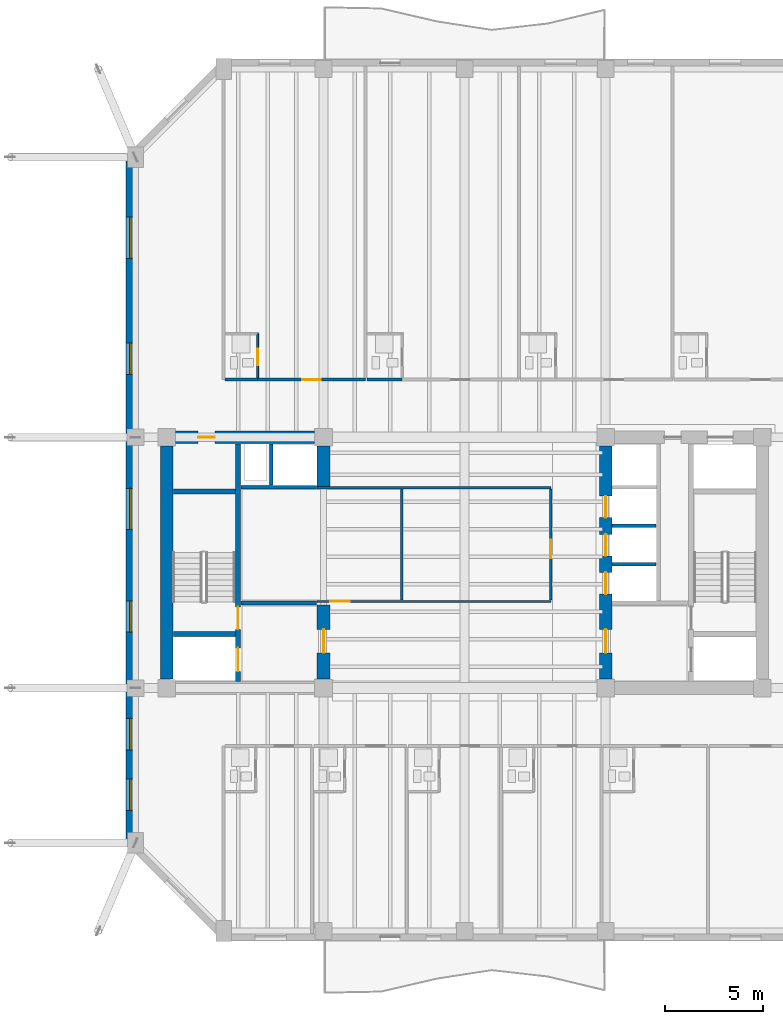
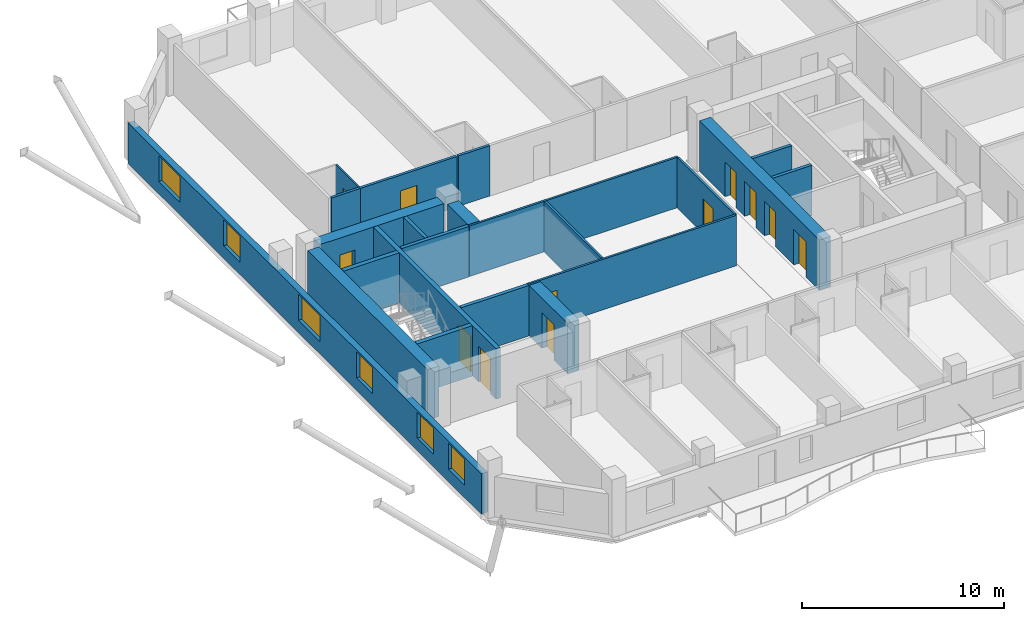
# One storey, part 6 of 13: 22 walls, 12 doors, 6 windows, 18 openings.
"""IFC4 building model written with IfcOpenShell, lengths in metres."""

from ifc_helpers import new_model, si_unit, direction, frame, frame_2d, origin, place, context, subcontext, project, spatial, rectangle, extrude, material, layer, layer_set, type_object, element, fill, save


model = new_model("IFC4")

# Units and contexts
model_context = context("Model", 3, precision=1e-05, world=origin(), true_north=direction((0.0, 1.0)))
body_context = subcontext(model_context, "Body", "Model", "MODEL_VIEW")
ifc_project = project(units=[si_unit("LENGTHUNIT", "METRE"), si_unit("AREAUNIT", "SQUARE_METRE"), si_unit("VOLUMEUNIT", "CUBIC_METRE"), si_unit("PLANEANGLEUNIT", "RADIAN"), si_unit("MASSUNIT", "GRAM", prefix="KILO")], contexts=[model_context])

# Site, building, storey
site_placement = place(None, origin())
site = spatial("IfcSite", under=ifc_project, at=site_placement, CompositionType="ELEMENT")
building_placement = place(site_placement, origin())
building = spatial("IfcBuilding", under=site, at=building_placement, Name="Kranthara Brick Stack", CompositionType="ELEMENT")
storey_placement = place(building_placement, frame((0.0, 0.0, 179.800048828125)))
storey = spatial("IfcBuildingStorey", under=building, at=storey_placement, Name="L46", CompositionType="ELEMENT", Elevation=179.800048828125)

# Wall, openings, windows
ifc_material_1 = material(Name="Kiln-fired clay brick masonry M15", Category="masonry")
ifc_layer_1 = layer(ifc_material_1, 0.35009765625)
ifc_layer_set_1 = layer_set([ifc_layer_1], Name="Kiln-fired clay brick masonry M15")
wall_type_1 = type_object("IfcWallType", Name="WL-BRK-SPND-350", PredefinedType="STANDARD", material=ifc_layer_set_1)
wall_1_placement = place(storey_placement, frame((10.89501953125, 12.89990234375, 0.0), z_axis=(0.0, 0.0, 1.0), x_axis=(0.0, 1.0, 0.0)))
wall_1 = element("IfcWall", 1, at=wall_1_placement, inside=storey, type_object=wall_type_1, Name="L46 Exterior Brick Facade Wall WEST 1", PredefinedType="STANDARD", context=body_context, shape_type="SweptSolid", body=[
    extrude(rectangle(XDim=35.0, YDim=0.35009765625, at=frame_2d((17.5, 0.0))), origin(), (0.0, 0.0, 1.0), 2.43505859375),
])
opening_1_placement = place(wall_1_placement, frame((1.652099609375, 0.0, 0.75)))
opening_1 = element("IfcOpeningElement", 2, at=opening_1_placement, cuts=wall_1, Name="Opening WN04", PredefinedType="OPENING", context=body_context, shape_type="SweptSolid", body=[
    extrude(rectangle(XDim=1.60009765625, YDim=1.56494140625, at=frame_2d((0.800048828125, 0.782470703125))), frame((0.0, 0.18505859375, 0.0), z_axis=(0.0, -1.0, 0.0), x_axis=(1.0, 0.0, 0.0)), (0.0, 0.0, 1.0), 0.3701171875),
])
opening_2_placement = place(wall_1_placement, frame((4.748046875, 0.0, 0.75)))
opening_2 = element("IfcOpeningElement", 3, at=opening_2_placement, cuts=wall_1, Name="Opening WN04", PredefinedType="OPENING", context=body_context, shape_type="SweptSolid", body=[
    extrude(rectangle(XDim=1.60009765625, YDim=1.56494140625, at=frame_2d((0.800048828125, 0.782470703125))), frame((0.0, 0.18505859375, 0.0), z_axis=(0.0, -1.0, 0.0), x_axis=(1.0, 0.0, 0.0)), (0.0, 0.0, 1.0), 0.3701171875),
])
opening_3_placement = place(wall_1_placement, frame((10.751953125, 0.0, 0.75)))
opening_3 = element("IfcOpeningElement", 4, at=opening_3_placement, cuts=wall_1, Name="Opening WN04", PredefinedType="OPENING", context=body_context, shape_type="SweptSolid", body=[
    extrude(rectangle(XDim=1.60009765625, YDim=1.56494140625, at=frame_2d((0.800048828125, 0.782470703125))), frame((0.0, 0.18505859375, 0.0), z_axis=(0.0, -1.0, 0.0), x_axis=(1.0, 0.0, 0.0)), (0.0, 0.0, 1.0), 0.3701171875),
])
opening_4_placement = place(wall_1_placement, frame((15.998046875, 0.0, 0.75)))
opening_4 = element("IfcOpeningElement", 5, at=opening_4_placement, cuts=wall_1, Name="Opening WN05", PredefinedType="OPENING", context=body_context, shape_type="SweptSolid", body=[
    extrude(rectangle(XDim=2.10009765625, YDim=1.56494140625, at=frame_2d((1.050048828125, 0.782470703125))), frame((0.0, 0.18505859375, 0.0), z_axis=(0.0, -1.0, 0.0), x_axis=(1.0, 0.0, 0.0)), (0.0, 0.0, 1.0), 0.3701171875),
])
opening_5_placement = place(wall_1_placement, frame((23.916015625, 0.0, 0.75)))
opening_5 = element("IfcOpeningElement", 6, at=opening_5_placement, cuts=wall_1, Name="Opening WN04", PredefinedType="OPENING", context=body_context, shape_type="SweptSolid", body=[
    extrude(rectangle(XDim=1.60009765625, YDim=1.56494140625, at=frame_2d((0.800048828125, 0.782470703125))), frame((0.0, 0.18505859375, 0.0), z_axis=(0.0, -1.0, 0.0), x_axis=(1.0, 0.0, 0.0)), (0.0, 0.0, 1.0), 0.3701171875),
])
opening_6_placement = place(wall_1_placement, frame((29.833984375, 0.0, 0.75)))
opening_6 = element("IfcOpeningElement", 7, at=opening_6_placement, cuts=wall_1, Name="Opening WN05", PredefinedType="OPENING", context=body_context, shape_type="SweptSolid", body=[
    extrude(rectangle(XDim=2.10009765625, YDim=1.56494140625, at=frame_2d((1.050048828125, 0.782470703125))), frame((0.0, 0.18505859375, 0.0), z_axis=(0.0, -1.0, 0.0), x_axis=(1.0, 0.0, 0.0)), (0.0, 0.0, 1.0), 0.3701171875),
])
ifc_material_2 = material(Name="Double-glazed low-E solar control glass", Category="glass")
window_type_1 = type_object("IfcWindowType", Name="WN-HTL-1600x1850", PartitioningType="DOUBLE_PANEL_VERTICAL", PredefinedType="WINDOW", material=ifc_material_2)
window_1_placement = place(opening_1_placement, origin())
window_1 = element("IfcWindow", 8, at=window_1_placement, inside=storey, type_object=window_type_1, Name="L46 West Deep-Set Brick Window 01", OverallHeight=1.56494140625, OverallWidth=1.60009765625, PartitioningType="SINGLE_PANEL", PredefinedType="WINDOW", context=body_context, shape_type="SweptSolid", body=[
    extrude(rectangle(XDim=1.60009765625, YDim=1.56494140625, at=frame_2d((0.800048828125, 0.782470703125))), frame((0.0, -0.010009765625, 0.0), z_axis=(0.0, -1.0, 0.0), x_axis=(1.0, 0.0, 0.0)), (0.0, 0.0, 1.0), 0.06005859375),
])
fill(opening_1, window_1)
window_2_placement = place(opening_2_placement, origin())
window_2 = element("IfcWindow", 9, at=window_2_placement, inside=storey, type_object=window_type_1, Name="L46 West Deep-Set Brick Window 02", OverallHeight=1.56494140625, OverallWidth=1.60009765625, PartitioningType="SINGLE_PANEL", PredefinedType="WINDOW", context=body_context, shape_type="SweptSolid", body=[
    extrude(rectangle(XDim=1.60009765625, YDim=1.56494140625, at=frame_2d((0.800048828125, 0.782470703125))), frame((0.0, -0.010009765625, 0.0), z_axis=(0.0, -1.0, 0.0), x_axis=(1.0, 0.0, 0.0)), (0.0, 0.0, 1.0), 0.06005859375),
])
fill(opening_2, window_2)
window_3_placement = place(opening_3_placement, origin())
window_3 = element("IfcWindow", 10, at=window_3_placement, inside=storey, type_object=window_type_1, Name="L46 West Deep-Set Brick Window 03", OverallHeight=1.56494140625, OverallWidth=1.60009765625, PartitioningType="SINGLE_PANEL", PredefinedType="WINDOW", context=body_context, shape_type="SweptSolid", body=[
    extrude(rectangle(XDim=1.60009765625, YDim=1.56494140625, at=frame_2d((0.800048828125, 0.782470703125))), frame((0.0, -0.010009765625, 0.0), z_axis=(0.0, -1.0, 0.0), x_axis=(1.0, 0.0, 0.0)), (0.0, 0.0, 1.0), 0.06005859375),
])
fill(opening_3, window_3)
window_4_placement = place(opening_5_placement, origin())
window_4 = element("IfcWindow", 11, at=window_4_placement, inside=storey, type_object=window_type_1, Name="L46 West Deep-Set Brick Window 05", OverallHeight=1.56494140625, OverallWidth=1.60009765625, PartitioningType="SINGLE_PANEL", PredefinedType="WINDOW", context=body_context, shape_type="SweptSolid", body=[
    extrude(rectangle(XDim=1.60009765625, YDim=1.56494140625, at=frame_2d((0.800048828125, 0.782470703125))), frame((0.0, -0.010009765625, 0.0), z_axis=(0.0, -1.0, 0.0), x_axis=(1.0, 0.0, 0.0)), (0.0, 0.0, 1.0), 0.06005859375),
])
fill(opening_5, window_4)
ifc_material_3 = material(Name="Double-glazed low-E solar control glass", Category="glass")
window_type_2 = type_object("IfcWindowType", Name="WN-HTL-2100x1850", PartitioningType="DOUBLE_PANEL_VERTICAL", PredefinedType="WINDOW", material=ifc_material_3)
window_5_placement = place(opening_4_placement, origin())
window_5 = element("IfcWindow", 12, at=window_5_placement, inside=storey, type_object=window_type_2, Name="L46 West Deep-Set Brick Window 04", OverallHeight=1.56494140625, OverallWidth=2.10009765625, PartitioningType="SINGLE_PANEL", PredefinedType="WINDOW", context=body_context, shape_type="SweptSolid", body=[
    extrude(rectangle(XDim=2.10009765625, YDim=1.56494140625, at=frame_2d((1.050048828125, 0.782470703125))), frame((0.0, -0.010009765625, 0.0), z_axis=(0.0, -1.0, 0.0), x_axis=(1.0, 0.0, 0.0)), (0.0, 0.0, 1.0), 0.06005859375),
])
fill(opening_4, window_5)
window_6_placement = place(opening_6_placement, origin())
window_6 = element("IfcWindow", 13, at=window_6_placement, inside=storey, type_object=window_type_2, Name="L46 West Deep-Set Brick Window 06", OverallHeight=1.56494140625, OverallWidth=2.10009765625, PartitioningType="SINGLE_PANEL", PredefinedType="WINDOW", context=body_context, shape_type="SweptSolid", body=[
    extrude(rectangle(XDim=2.10009765625, YDim=1.56494140625, at=frame_2d((1.050048828125, 0.782470703125))), frame((0.0, -0.010009765625, 0.0), z_axis=(0.0, -1.0, 0.0), x_axis=(1.0, 0.0, 0.0)), (0.0, 0.0, 1.0), 0.06005859375),
])
fill(opening_6, window_6)

# Wall, openings, doors
ifc_material_4 = material(Name="Concrete C50/60", Category="concrete")
ifc_layer_2 = layer(ifc_material_4, 0.25)
ifc_layer_set_2 = layer_set([ifc_layer_2], Name="Concrete C50/60")
wall_type_2 = type_object("IfcWallType", Name="WL-CORE-250", PredefinedType="SHEAR", material=ifc_layer_set_2)
wall_2_placement = place(storey_placement, frame((16.43505859375, 21.135009765625, 0.0), z_axis=(0.0, 0.0, 1.0), x_axis=(0.0, 1.0, 0.0)))
wall_2 = element("IfcWall", 14, at=wall_2_placement, inside=storey, type_object=wall_type_2, Name="L46 West Core Stair Bearing Spine Wall", PredefinedType="SHEAR", context=body_context, shape_type="SweptSolid", body=[
    extrude(rectangle(XDim=12.1298828125, YDim=0.25, at=frame_2d((6.06494140625, 0.0))), origin(), (0.0, 0.0, 1.0), 3.050048828125),
])
opening_7_placement = place(wall_2_placement, frame((0.514892578125, 0.0, 0.0)))
opening_7 = element("IfcOpeningElement", 15, at=opening_7_placement, cuts=wall_2, Name="Opening LD01", PredefinedType="OPENING", context=body_context, shape_type="SweptSolid", body=[
    extrude(rectangle(XDim=1.199951171875, YDim=2.14990234375, at=frame_2d((0.60009765625, 1.074951171875))), frame((0.0, 0.135009765625, 0.0), z_axis=(0.0, -1.0, 0.0), x_axis=(1.0, 0.0, 0.0)), (0.0, 0.0, 1.0), 0.27001953125),
])
opening_8_placement = place(wall_2_placement, frame((2.6650390625, 0.0, 0.0)))
opening_8 = element("IfcOpeningElement", 16, at=opening_8_placement, cuts=wall_2, Name="Opening D05", PredefinedType="OPENING", context=body_context, shape_type="SweptSolid", body=[
    extrude(rectangle(XDim=1.14990234375, YDim=2.14990234375, at=frame_2d((0.574951171875, 1.074951171875))), frame((0.0, 0.135009765625, 0.0), z_axis=(0.0, -1.0, 0.0), x_axis=(1.0, 0.0, 0.0)), (0.0, 0.0, 1.0), 0.27001953125),
])
ifc_material_5 = material(Name="Stainless steel sliding landing door", Category="steel")
door_type_1 = type_object("IfcDoorType", Name="DR-LD-FF1200", OperationType="DOUBLE_DOOR_SLIDING", PredefinedType="DOOR", material=ifc_material_5)
door_1_placement = place(opening_7_placement, origin())
door_1 = element("IfcDoor", 17, at=door_1_placement, inside=storey, type_object=door_type_1, Name="L46 Firefighting Lift FF-01 Landing Door", OperationType="DOUBLE_DOOR_SLIDING", OverallHeight=2.14990234375, OverallWidth=1.199951171875, PredefinedType="DOOR", context=body_context, shape_type="SweptSolid", body=[
    extrude(rectangle(XDim=1.199951171875, YDim=2.14990234375, at=frame_2d((0.60009765625, 1.074951171875))), frame((0.0, 0.02490234375, 0.0), z_axis=(0.0, -1.0, 0.0), x_axis=(1.0, 0.0, 0.0)), (0.0, 0.0, 1.0), 0.050048828125),
])
fill(opening_7, door_1)
ifc_material_6 = material(Name="Solid-core hardwood timber leaf in steel frame", Category="steel")
door_type_2 = type_object("IfcDoorType", Name="DR-ST-1150", OperationType="NOTDEFINED", PredefinedType="DOOR", material=ifc_material_6)
door_2_placement = place(opening_8_placement, origin())
door_2 = element("IfcDoor", 18, at=door_2_placement, inside=storey, type_object=door_type_2, Name="L46 Exit Stair ST01 Door", OperationType="SINGLE_SWING_RIGHT", OverallHeight=2.14990234375, OverallWidth=1.14990234375, PredefinedType="DOOR", context=body_context, shape_type="SweptSolid", body=[
    extrude(rectangle(XDim=1.14990234375, YDim=2.14990234375, at=frame_2d((0.574951171875, 1.074951171875))), frame((0.0, 0.02490234375, 0.0), z_axis=(0.0, -1.0, 0.0), x_axis=(1.0, 0.0, 0.0)), (0.0, 0.0, 1.0), 0.050048828125),
])
fill(opening_8, door_2)

# Walls
for number, where, z_axis, x_axis, name in (
    (19, (13.135009765625, 23.570068359375, 0.0), (0.0, 0.0, 1.0), (1.0, 0.0, 0.0), "L46 West Stairwell Bearing Wall WFF"),
    (20, (13.135009765625, 30.830078125, 0.0), (0.0, 0.0, 1.0), (1.0, 0.0, 0.0), "L46 West Stairwell Bearing Wall WST"),
):
    element("IfcWall", number, at=place(storey_placement, frame(where, z_axis=z_axis, x_axis=x_axis)), inside=storey, type_object=wall_type_2, Name=name, PredefinedType="SHEAR", context=body_context, shape_type="SweptSolid", body=[
        extrude(rectangle(XDim=3.175048828125, YDim=0.25, at=frame_2d((1.58740234375, 0.0))), origin(), (0.0, 0.0, 1.0), 3.050048828125),
    ])
ifc_material_7 = material(Name="Concrete C60/75", Category="concrete")
ifc_layer_3 = layer(ifc_material_7, 0.64990234375)
ifc_layer_set_3 = layer_set([ifc_layer_3], Name="Concrete C60/75")
wall_type_3 = type_object("IfcWallType", Name="WL-CORE-650", PredefinedType="SHEAR", material=ifc_layer_set_3)
wall_3_placement = place(storey_placement, frame((12.800048828125, 21.2548828125, 0.0), z_axis=(0.0, 0.0, 1.0), x_axis=(0.0, 1.0, 0.0)))
element("IfcWall", 21, at=wall_3_placement, inside=storey, type_object=wall_type_3, Name="L46 West Core Shear Wall West", PredefinedType="SHEAR", context=body_context, shape_type="SweptSolid", body=[
    extrude(rectangle(XDim=11.89013671875, YDim=0.64990234375, at=frame_2d((5.945068359375, 0.0))), origin(), (0.0, 0.0, 1.0), 3.050048828125),
])

# Wall, opening, door
wall_4_placement = place(storey_placement, frame((13.2548828125, 33.60009765625, 0.0), z_axis=(0.0, 0.0, 1.0), x_axis=(1.0, 0.0, 0.0)))
wall_4 = element("IfcWall", 22, at=wall_4_placement, inside=storey, type_object=wall_type_3, Name="L46 West Core Shear Wall North", PredefinedType="SHEAR", context=body_context, shape_type="SweptSolid", body=[
    extrude(rectangle(XDim=7.090087890625, YDim=0.64990234375, at=frame_2d((3.544921875, 0.0))), origin(), (0.0, 0.0, 1.0), 3.050048828125),
])
opening_9_placement = place(wall_4_placement, frame((1.14501953125, 0.0, 0.0)))
opening_9 = element("IfcOpeningElement", 23, at=opening_9_placement, cuts=wall_4, Name="Opening D10", PredefinedType="OPENING", context=body_context, shape_type="SweptSolid", body=[
    extrude(rectangle(XDim=0.85009765625, YDim=2.02001953125, at=frame_2d((0.425048828125, 1.010009765625))), frame((0.0, 0.3349609375, 0.0), z_axis=(0.0, -1.0, 0.0), x_axis=(1.0, 0.0, 0.0)), (0.0, 0.0, 1.0), 0.669921875),
])
ifc_material_8 = material(Name="Solid-core hardwood timber leaf in steel frame", Category="steel")
door_type_3 = type_object("IfcDoorType", Name="DR-RSR-850", OperationType="NOTDEFINED", PredefinedType="DOOR", material=ifc_material_8)
door_3_placement = place(opening_9_placement, origin())
door_3 = element("IfcDoor", 24, at=door_3_placement, inside=storey, type_object=door_type_3, Name="L46 West Core Service Door 1", OperationType="SINGLE_SWING_LEFT", OverallHeight=2.02001953125, OverallWidth=0.85009765625, PredefinedType="DOOR", context=body_context, shape_type="SweptSolid", body=[
    extrude(rectangle(XDim=0.85009765625, YDim=2.02001953125, at=frame_2d((0.425048828125, 1.010009765625))), frame((0.0, 0.02490234375, 0.0), z_axis=(0.0, -1.0, 0.0), x_axis=(1.0, 0.0, 0.0)), (0.0, 0.0, 1.0), 0.050048828125),
])
fill(opening_9, door_3)

wall_5_placement = place(storey_placement, frame((20.800048828125, 21.2548828125, 0.0), z_axis=(0.0, 0.0, 1.0), x_axis=(0.0, 1.0, 0.0)))
wall_5 = element("IfcWall", 25, at=wall_5_placement, inside=storey, type_object=wall_type_3, Name="L46 West Core Lobby Shear Wall", PredefinedType="SHEAR", context=body_context, shape_type="SweptSolid", body=[
    extrude(rectangle(XDim=3.795166015625, YDim=0.64990234375, at=frame_2d((1.8974609375, 0.0))), origin(), (0.0, 0.0, 1.0), 3.050048828125),
])
opening_10_placement = place(wall_5_placement, frame((1.344970703125, 0.0, 0.0)))
opening_10 = element("IfcOpeningElement", 26, at=opening_10_placement, cuts=wall_5, Name="Opening D06", PredefinedType="OPENING", context=body_context, shape_type="SweptSolid", body=[
    extrude(rectangle(XDim=1.199951171875, YDim=2.14990234375, at=frame_2d((0.60009765625, 1.074951171875))), frame((0.0, 0.3349609375, 0.0), z_axis=(0.0, -1.0, 0.0), x_axis=(1.0, 0.0, 0.0)), (0.0, 0.0, 1.0), 0.669921875),
])
ifc_material_9 = material(Name="Solid-core hardwood timber leaf in steel frame", Category="steel")
door_type_4 = type_object("IfcDoorType", Name="DR-FFL-1200", OperationType="NOTDEFINED", PredefinedType="DOOR", material=ifc_material_9)
door_4_placement = place(opening_10_placement, origin())
door_4 = element("IfcDoor", 27, at=door_4_placement, inside=storey, type_object=door_type_4, Name="L46 West Firefighting Lobby Door", OperationType="SINGLE_SWING_LEFT", OverallHeight=2.14990234375, OverallWidth=1.199951171875, PredefinedType="DOOR", context=body_context, shape_type="SweptSolid", body=[
    extrude(rectangle(XDim=1.199951171875, YDim=2.14990234375, at=frame_2d((0.60009765625, 1.074951171875))), frame((0.0, 0.02490234375, 0.0), z_axis=(0.0, -1.0, 0.0), x_axis=(1.0, 0.0, 0.0)), (0.0, 0.0, 1.0), 0.050048828125),
])
fill(opening_10, door_4)

# Wall
wall_6_placement = place(storey_placement, frame((20.800048828125, 31.10009765625, 0.0), z_axis=(0.0, 0.0, 1.0), x_axis=(0.0, 1.0, 0.0)))
element("IfcWall", 28, at=wall_6_placement, inside=storey, type_object=wall_type_3, Name="L46 West Core High-Rise Lift Wall", PredefinedType="SHEAR", context=body_context, shape_type="SweptSolid", body=[
    extrude(rectangle(XDim=2.044921875, YDim=0.64990234375, at=frame_2d((1.0224609375, 0.0))), origin(), (0.0, 0.0, 1.0), 3.050048828125),
])

# Wall, openings, doors
wall_7_placement = place(storey_placement, frame((35.199951171875, 21.2548828125, 0.0), z_axis=(0.0, 0.0, 1.0), x_axis=(0.0, 1.0, 0.0)))
wall_7 = element("IfcWall", 29, at=wall_7_placement, inside=storey, type_object=wall_type_3, Name="L46 East Core Shear Wall West", PredefinedType="SHEAR", context=body_context, shape_type="SweptSolid", body=[
    extrude(rectangle(XDim=11.89013671875, YDim=0.64990234375, at=frame_2d((5.945068359375, 0.0))), origin(), (0.0, 0.0, 1.0), 3.050048828125),
])
opening_11_placement = place(wall_7_placement, frame((1.344970703125, 0.0, 0.0)))
opening_11 = element("IfcOpeningElement", 30, at=opening_11_placement, cuts=wall_7, Name="Opening D06", PredefinedType="OPENING", context=body_context, shape_type="SweptSolid", body=[
    extrude(rectangle(XDim=1.199951171875, YDim=2.14990234375, at=frame_2d((0.60009765625, 1.074951171875))), frame((0.0, 0.3349609375, 0.0), z_axis=(0.0, -1.0, 0.0), x_axis=(1.0, 0.0, 0.0)), (0.0, 0.0, 1.0), 0.669921875),
])
opening_12_placement = place(wall_7_placement, frame((4.344970703125, 0.0, 0.0)))
opening_12 = element("IfcOpeningElement", 31, at=opening_12_placement, cuts=wall_7, Name="Opening LD02", PredefinedType="OPENING", context=body_context, shape_type="SweptSolid", body=[
    extrude(rectangle(XDim=1.10009765625, YDim=2.10009765625, at=frame_2d((0.550048828125, 1.050048828125))), frame((0.0, 0.3349609375, 0.0), z_axis=(0.0, -1.0, 0.0), x_axis=(1.0, 0.0, 0.0)), (0.0, 0.0, 1.0), 0.669921875),
])
opening_13_placement = place(wall_7_placement, frame((6.294921875, 0.0, 0.0)))
opening_13 = element("IfcOpeningElement", 32, at=opening_13_placement, cuts=wall_7, Name="Opening LD02", PredefinedType="OPENING", context=body_context, shape_type="SweptSolid", body=[
    extrude(rectangle(XDim=1.10009765625, YDim=2.10009765625, at=frame_2d((0.550048828125, 1.050048828125))), frame((0.0, 0.3349609375, 0.0), z_axis=(0.0, -1.0, 0.0), x_axis=(1.0, 0.0, 0.0)), (0.0, 0.0, 1.0), 0.669921875),
])
opening_14_placement = place(wall_7_placement, frame((8.2451171875, 0.0, 0.0)))
opening_14 = element("IfcOpeningElement", 33, at=opening_14_placement, cuts=wall_7, Name="Opening LD02", PredefinedType="OPENING", context=body_context, shape_type="SweptSolid", body=[
    extrude(rectangle(XDim=1.10009765625, YDim=2.10009765625, at=frame_2d((0.550048828125, 1.050048828125))), frame((0.0, 0.3349609375, 0.0), z_axis=(0.0, -1.0, 0.0), x_axis=(1.0, 0.0, 0.0)), (0.0, 0.0, 1.0), 0.669921875),
])
door_5_placement = place(opening_11_placement, origin())
door_5 = element("IfcDoor", 34, at=door_5_placement, inside=storey, type_object=door_type_4, Name="L46 East Firefighting Lobby Door", OperationType="SINGLE_SWING_RIGHT", OverallHeight=2.14990234375, OverallWidth=1.199951171875, PredefinedType="DOOR", context=body_context, shape_type="SweptSolid", body=[
    extrude(rectangle(XDim=1.199951171875, YDim=2.14990234375, at=frame_2d((0.60009765625, 1.074951171875))), frame((0.0, 0.02490234375, 0.0), z_axis=(0.0, -1.0, 0.0), x_axis=(1.0, 0.0, 0.0)), (0.0, 0.0, 1.0), 0.050048828125),
])
fill(opening_11, door_5)
ifc_material_10 = material(Name="Stainless steel sliding landing door", Category="steel")
door_type_5 = type_object("IfcDoorType", Name="DR-LD-PL1100", OperationType="DOUBLE_DOOR_SLIDING", PredefinedType="DOOR", material=ifc_material_10)
door_6_placement = place(opening_12_placement, origin())
door_6 = element("IfcDoor", 35, at=door_6_placement, inside=storey, type_object=door_type_5, Name="L46 PL-04 Lift Landing Door", OperationType="DOUBLE_DOOR_SLIDING", OverallHeight=2.10009765625, OverallWidth=1.10009765625, PredefinedType="DOOR", context=body_context, shape_type="SweptSolid", body=[
    extrude(rectangle(XDim=1.10009765625, YDim=2.10009765625, at=frame_2d((0.550048828125, 1.050048828125))), frame((0.0, 0.02490234375, 0.0), z_axis=(0.0, -1.0, 0.0), x_axis=(1.0, 0.0, 0.0)), (0.0, 0.0, 1.0), 0.050048828125),
])
fill(opening_12, door_6)
door_7_placement = place(opening_13_placement, origin())
door_7 = element("IfcDoor", 36, at=door_7_placement, inside=storey, type_object=door_type_5, Name="L46 PL-05 Lift Landing Door", OperationType="DOUBLE_DOOR_SLIDING", OverallHeight=2.10009765625, OverallWidth=1.10009765625, PredefinedType="DOOR", context=body_context, shape_type="SweptSolid", body=[
    extrude(rectangle(XDim=1.10009765625, YDim=2.10009765625, at=frame_2d((0.550048828125, 1.050048828125))), frame((0.0, 0.02490234375, 0.0), z_axis=(0.0, -1.0, 0.0), x_axis=(1.0, 0.0, 0.0)), (0.0, 0.0, 1.0), 0.050048828125),
])
fill(opening_13, door_7)
door_8_placement = place(opening_14_placement, origin())
door_8 = element("IfcDoor", 37, at=door_8_placement, inside=storey, type_object=door_type_5, Name="L46 PL-06 Lift Landing Door", OperationType="DOUBLE_DOOR_SLIDING", OverallHeight=2.10009765625, OverallWidth=1.10009765625, PredefinedType="DOOR", context=body_context, shape_type="SweptSolid", body=[
    extrude(rectangle(XDim=1.10009765625, YDim=2.10009765625, at=frame_2d((0.550048828125, 1.050048828125))), frame((0.0, 0.02490234375, 0.0), z_axis=(0.0, -1.0, 0.0), x_axis=(1.0, 0.0, 0.0)), (0.0, 0.0, 1.0), 0.050048828125),
])
fill(opening_14, door_8)

# Wall, opening, door
ifc_material_11 = material(Name="Moisture-resistant wet-room partition", Category="other")
ifc_layer_4 = layer(ifc_material_11, 0.10009765625)
ifc_layer_set_4 = layer_set([ifc_layer_4], Name="Moisture-resistant wet-room partition")
wall_type_4 = type_object("IfcWallType", Name="WL-PART-100", PredefinedType="PARTITIONING", material=ifc_layer_set_4)
wall_8_placement = place(storey_placement, frame((17.4365234375, 36.6298828125, 0.0), z_axis=(0.0, 0.0, 1.0), x_axis=(0.0, 1.0, 0.0)))
wall_8 = element("IfcWall", 38, at=wall_8_placement, inside=storey, type_object=wall_type_4, Name="L46 Interior Partition 036", PredefinedType="PARTITIONING", context=body_context, shape_type="SweptSolid", body=[
    extrude(rectangle(XDim=2.25, YDim=0.10009765625, at=frame_2d((1.125, 0.0))), origin(), (0.0, 0.0, 1.0), 3.050048828125),
])
opening_15_placement = place(wall_8_placement, frame((0.639892578125, 0.0, 0.0)))
opening_15 = element("IfcOpeningElement", 39, at=opening_15_placement, cuts=wall_8, Name="Opening D17", PredefinedType="OPENING", context=body_context, shape_type="SweptSolid", body=[
    extrude(rectangle(XDim=0.85009765625, YDim=2.050048828125, at=frame_2d((0.425048828125, 1.02490234375))), frame((0.0, 0.06005859375, 0.0), z_axis=(0.0, -1.0, 0.0), x_axis=(1.0, 0.0, 0.0)), (0.0, 0.0, 1.0), 0.1201171875),
])
ifc_material_12 = material(Name="Solid-core hardwood timber leaf in steel frame", Category="steel")
door_type_6 = type_object("IfcDoorType", Name="DR-WET-850", OperationType="NOTDEFINED", PredefinedType="DOOR", material=ifc_material_12)
door_9_placement = place(opening_15_placement, origin())
door_9 = element("IfcDoor", 40, at=door_9_placement, inside=storey, type_object=door_type_6, Name="L46 Key 07 En-Suite Door 14", OperationType="SINGLE_SWING_RIGHT", OverallHeight=2.050048828125, OverallWidth=0.85009765625, PredefinedType="DOOR", context=body_context, shape_type="SweptSolid", body=[
    extrude(rectangle(XDim=0.85009765625, YDim=2.050048828125, at=frame_2d((0.425048828125, 1.02490234375))), frame((0.0, 0.02490234375, 0.0), z_axis=(0.0, -1.0, 0.0), x_axis=(1.0, 0.0, 0.0)), (0.0, 0.0, 1.0), 0.050048828125),
])
fill(opening_15, door_9)

ifc_material_13 = material(Name="Acoustic gypsum plasterboard partition", Category="other")
ifc_layer_5 = layer(ifc_material_13, 0.1201171875)
ifc_layer_set_5 = layer_set([ifc_layer_5], Name="Acoustic gypsum plasterboard partition")
wall_type_5 = type_object("IfcWallType", Name="WL-PART-120", PredefinedType="PARTITIONING", material=ifc_layer_set_5)
wall_9_placement = place(storey_placement, frame((20.4599609375, 25.219970703125, 0.0), z_axis=(0.0, 0.0, 1.0), x_axis=(1.0, 0.0, 0.0)))
wall_9 = element("IfcWall", 41, at=wall_9_placement, inside=storey, type_object=wall_type_5, Name="L46 Interior Partition 001", PredefinedType="PARTITIONING", context=body_context, shape_type="SweptSolid", body=[
    extrude(rectangle(XDim=11.93994140625, YDim=0.1201171875, at=frame_2d((5.969970703125, 0.0))), origin(), (0.0, 0.0, 1.0), 3.050048828125),
])
opening_16_placement = place(wall_9_placement, frame((0.679931640625, 0.0, 0.0)))
opening_16 = element("IfcOpeningElement", 42, at=opening_16_placement, cuts=wall_9, Name="Opening D13", PredefinedType="OPENING", context=body_context, shape_type="SweptSolid", body=[
    extrude(rectangle(XDim=1.0, YDim=2.10009765625, at=frame_2d((0.5, 1.050048828125))), frame((0.0, 0.070068359375, 0.0), z_axis=(0.0, -1.0, 0.0), x_axis=(1.0, 0.0, 0.0)), (0.0, 0.0, 1.0), 0.14013671875),
])
ifc_material_14 = material(Name="Solid-core hardwood timber leaf in steel frame", Category="steel")
door_type_7 = type_object("IfcDoorType", Name="DR-INT-1000", OperationType="NOTDEFINED", PredefinedType="DOOR", material=ifc_material_14)
door_10_placement = place(opening_16_placement, origin())
door_10 = element("IfcDoor", 43, at=door_10_placement, inside=storey, type_object=door_type_7, Name="L46 Hotel Club Lounge Door 01", OperationType="SINGLE_SWING_LEFT", OverallHeight=2.10009765625, OverallWidth=1.0, PredefinedType="DOOR", context=body_context, shape_type="SweptSolid", body=[
    extrude(rectangle(XDim=1.0, YDim=2.10009765625, at=frame_2d((0.5, 1.050048828125))), frame((0.0, 0.02490234375, 0.0), z_axis=(0.0, -1.0, 0.0), x_axis=(1.0, 0.0, 0.0)), (0.0, 0.0, 1.0), 0.050048828125),
])
fill(opening_16, door_10)

# Wall
wall_10_placement = place(storey_placement, frame((20.4599609375, 31.02001953125, 0.0), z_axis=(0.0, 0.0, 1.0), x_axis=(1.0, 0.0, 0.0)))
element("IfcWall", 44, at=wall_10_placement, inside=storey, type_object=wall_type_5, Name="L46 Interior Partition 002", PredefinedType="PARTITIONING", context=body_context, shape_type="SweptSolid", body=[
    extrude(rectangle(XDim=11.93994140625, YDim=0.1201171875, at=frame_2d((5.969970703125, 0.0))), origin(), (0.0, 0.0, 1.0), 3.050048828125),
])

# Wall, opening, door
wall_11_placement = place(storey_placement, frame((32.39990234375, 25.284912109375, 0.0), z_axis=(0.0, 0.0, 1.0), x_axis=(0.0, 1.0, 0.0)))
wall_11 = element("IfcWall", 45, at=wall_11_placement, inside=storey, type_object=wall_type_5, Name="L46 Interior Partition 003", PredefinedType="PARTITIONING", context=body_context, shape_type="SweptSolid", body=[
    extrude(rectangle(XDim=5.670166015625, YDim=0.1201171875, at=frame_2d((2.8349609375, 0.0))), origin(), (0.0, 0.0, 1.0), 3.050048828125),
])
opening_17_placement = place(wall_11_placement, frame((2.135009765625, 0.0, 0.0)))
opening_17 = element("IfcOpeningElement", 46, at=opening_17_placement, cuts=wall_11, Name="Opening D14", PredefinedType="OPENING", context=body_context, shape_type="SweptSolid", body=[
    extrude(rectangle(XDim=0.949951171875, YDim=2.10009765625, at=frame_2d((0.47509765625, 1.050048828125))), frame((0.0, 0.070068359375, 0.0), z_axis=(0.0, -1.0, 0.0), x_axis=(1.0, 0.0, 0.0)), (0.0, 0.0, 1.0), 0.14013671875),
])
ifc_material_15 = material(Name="Solid-core hardwood timber leaf in steel frame", Category="steel")
door_type_8 = type_object("IfcDoorType", Name="DR-INT-950", OperationType="NOTDEFINED", PredefinedType="DOOR", material=ifc_material_15)
door_11_placement = place(opening_17_placement, origin())
door_11 = element("IfcDoor", 47, at=door_11_placement, inside=storey, type_object=door_type_8, Name="L46 Housekeeping Linen Door 02", OperationType="SINGLE_SWING_RIGHT", OverallHeight=2.10009765625, OverallWidth=0.949951171875, PredefinedType="DOOR", context=body_context, shape_type="SweptSolid", body=[
    extrude(rectangle(XDim=0.949951171875, YDim=2.10009765625, at=frame_2d((0.47509765625, 1.050048828125))), frame((0.0, 0.02490234375, 0.0), z_axis=(0.0, -1.0, 0.0), x_axis=(1.0, 0.0, 0.0)), (0.0, 0.0, 1.0), 0.050048828125),
])
fill(opening_17, door_11)

# Walls
wall_12_placement = place(storey_placement, frame((24.800048828125, 25.284912109375, 0.0), z_axis=(0.0, 0.0, 1.0), x_axis=(0.0, 1.0, 0.0)))
element("IfcWall", 48, at=wall_12_placement, inside=storey, type_object=wall_type_5, Name="L46 Interior Partition 004", PredefinedType="PARTITIONING", context=body_context, shape_type="SweptSolid", body=[
    extrude(rectangle(XDim=5.670166015625, YDim=0.1201171875, at=frame_2d((2.8349609375, 0.0))), origin(), (0.0, 0.0, 1.0), 3.050048828125),
])
ifc_material_16 = material(Name="Fire-rated gypsum board partition", Category="other")
ifc_layer_6 = layer(ifc_material_16, 0.14990234375)
ifc_layer_set_6 = layer_set([ifc_layer_6], Name="Fire-rated gypsum board partition")
wall_type_6 = type_object("IfcWallType", Name="WL-PART-150", PredefinedType="PARTITIONING", material=ifc_layer_set_6)
wall_13_placement = place(storey_placement, frame((15.780029296875, 36.550048828125, 0.0), z_axis=(0.0, 0.0, 1.0), x_axis=(1.0, 0.0, 0.0)))
element("IfcWall", 49, at=wall_13_placement, inside=storey, type_object=wall_type_6, Name="L46 Interior Partition 034", PredefinedType="PARTITIONING", context=body_context, shape_type="SweptSolid", body=[
    extrude(rectangle(XDim=1.656494140625, YDim=0.14990234375, at=frame_2d((0.828125, 0.0))), origin(), (0.0, 0.0, 1.0), 3.050048828125),
])

# Wall, opening, door
wall_14_placement = place(storey_placement, frame((17.4365234375, 36.550048828125, 0.0), z_axis=(0.0, 0.0, 1.0), x_axis=(1.0, 0.0, 0.0)))
wall_14 = element("IfcWall", 50, at=wall_14_placement, inside=storey, type_object=wall_type_6, Name="L46 Interior Partition 035", PredefinedType="PARTITIONING", context=body_context, shape_type="SweptSolid", body=[
    extrude(rectangle(XDim=5.49951171875, YDim=0.14990234375, at=frame_2d((2.749755859375, 0.0))), origin(), (0.0, 0.0, 1.0), 3.050048828125),
])
opening_18_placement = place(wall_14_placement, frame((2.27001953125, 0.0, 0.0)))
opening_18 = element("IfcOpeningElement", 51, at=opening_18_placement, cuts=wall_14, Name="Opening D09", PredefinedType="OPENING", context=body_context, shape_type="SweptSolid", body=[
    extrude(rectangle(XDim=0.949951171875, YDim=2.10009765625, at=frame_2d((0.47509765625, 1.050048828125))), frame((0.0, 0.0849609375, 0.0), z_axis=(0.0, -1.0, 0.0), x_axis=(1.0, 0.0, 0.0)), (0.0, 0.0, 1.0), 0.169921875),
])
ifc_material_17 = material(Name="Solid-core hardwood timber leaf in steel frame", Category="steel")
door_type_9 = type_object("IfcDoorType", Name="DR-FD-950", OperationType="NOTDEFINED", PredefinedType="DOOR", material=ifc_material_17)
door_12_placement = place(opening_18_placement, origin())
door_12 = element("IfcDoor", 52, at=door_12_placement, inside=storey, type_object=door_type_9, Name="L46 Key 07 Entry 15", OperationType="SINGLE_SWING_LEFT", OverallHeight=2.10009765625, OverallWidth=0.949951171875, PredefinedType="DOOR", context=body_context, shape_type="SweptSolid", body=[
    extrude(rectangle(XDim=0.949951171875, YDim=2.10009765625, at=frame_2d((0.47509765625, 1.050048828125))), frame((0.0, 0.02490234375, 0.0), z_axis=(0.0, -1.0, 0.0), x_axis=(1.0, 0.0, 0.0)), (0.0, 0.0, 1.0), 0.050048828125),
])
fill(opening_18, door_12)

# Walls
wall_15_placement = place(storey_placement, frame((23.01611328125, 36.550048828125, 0.0), z_axis=(0.0, 0.0, 1.0), x_axis=(1.0, 0.0, 0.0)))
element("IfcWall", 53, at=wall_15_placement, inside=storey, type_object=wall_type_6, Name="L46 Interior Partition 039", PredefinedType="PARTITIONING", context=body_context, shape_type="SweptSolid", body=[
    extrude(rectangle(XDim=1.80126953125, YDim=0.14990234375, at=frame_2d((0.900634765625, 0.0))), origin(), (0.0, 0.0, 1.0), 3.050048828125),
])
ifc_material_18 = material(Name="Gypsum plasterboard on acoustic twin stud", Category="other")
ifc_layer_7 = layer(ifc_material_18, 0.179931640625)
ifc_layer_set_7 = layer_set([ifc_layer_7], Name="Gypsum plasterboard on acoustic twin stud")
wall_type_7 = type_object("IfcWallType", Name="WL-PART-180", PredefinedType="PARTITIONING", material=ifc_layer_set_7)
wall_16_placement = place(storey_placement, frame((18.1201171875, 31.169921875, 0.0), z_axis=(0.0, 0.0, 1.0), x_axis=(0.0, 1.0, 0.0)))
element("IfcWall", 54, at=wall_16_placement, inside=storey, type_object=wall_type_7, Name="L46 PL-07 Shaft Back Wall", PredefinedType="PARTITIONING", context=body_context, shape_type="SweptSolid", body=[
    extrude(rectangle(XDim=2.094970703125, YDim=0.179931640625, at=frame_2d((1.04736328125, 0.0))), origin(), (0.0, 0.0, 1.0), 3.050048828125),
])
for number, where, z_axis, x_axis, name in (
    (55, (35.534912109375, 27.1201171875, 0.0), (0.0, 0.0, 1.0), (1.0, 0.0, 0.0), "L46 East Hoistway Wall EH1"),
    (56, (35.534912109375, 29.080078125, 0.0), (0.0, 0.0, 1.0), (1.0, 0.0, 0.0), "L46 East Hoistway Wall EH2"),
):
    element("IfcWall", number, at=place(storey_placement, frame(where, z_axis=z_axis, x_axis=x_axis)), inside=storey, type_object=wall_type_7, Name=name, PredefinedType="PARTITIONING", context=body_context, shape_type="SweptSolid", body=[
        extrude(rectangle(XDim=2.2451171875, YDim=0.179931640625, at=frame_2d((1.12255859375, 0.0))), origin(), (0.0, 0.0, 1.0), 3.050048828125),
    ])
ifc_material_19 = material(Name="Concrete C40/50", Category="concrete")
ifc_layer_8 = layer(ifc_material_19, 0.199951171875)
ifc_layer_set_8 = layer_set([ifc_layer_8], Name="Concrete C40/50")
wall_type_8 = type_object("IfcWallType", Name="WL-PART-200", PredefinedType="SOLIDWALL", material=ifc_layer_set_8)
for number, where, z_axis, x_axis, name in (
    (57, (16.60009765625, 25.14990234375, 0.0), (0.0, 0.0, 1.0), (1.0, 0.0, 0.0), "L46 West Core Cross Wall WFL"),
    (58, (16.60009765625, 31.050048828125, 0.0), (0.0, 0.0, 1.0), (1.0, 0.0, 0.0), "L46 West Core Cross Wall WH4"),
):
    element("IfcWall", number, at=place(storey_placement, frame(where, z_axis=z_axis, x_axis=x_axis)), inside=storey, type_object=wall_type_8, Name=name, PredefinedType="SOLIDWALL", context=body_context, shape_type="SweptSolid", body=[
        extrude(rectangle(XDim=3.849853515625, YDim=0.199951171875, at=frame_2d((1.9248046875, 0.0))), origin(), (0.0, 0.0, 1.0), 3.050048828125),
    ])

save(model, "model.ifc")
